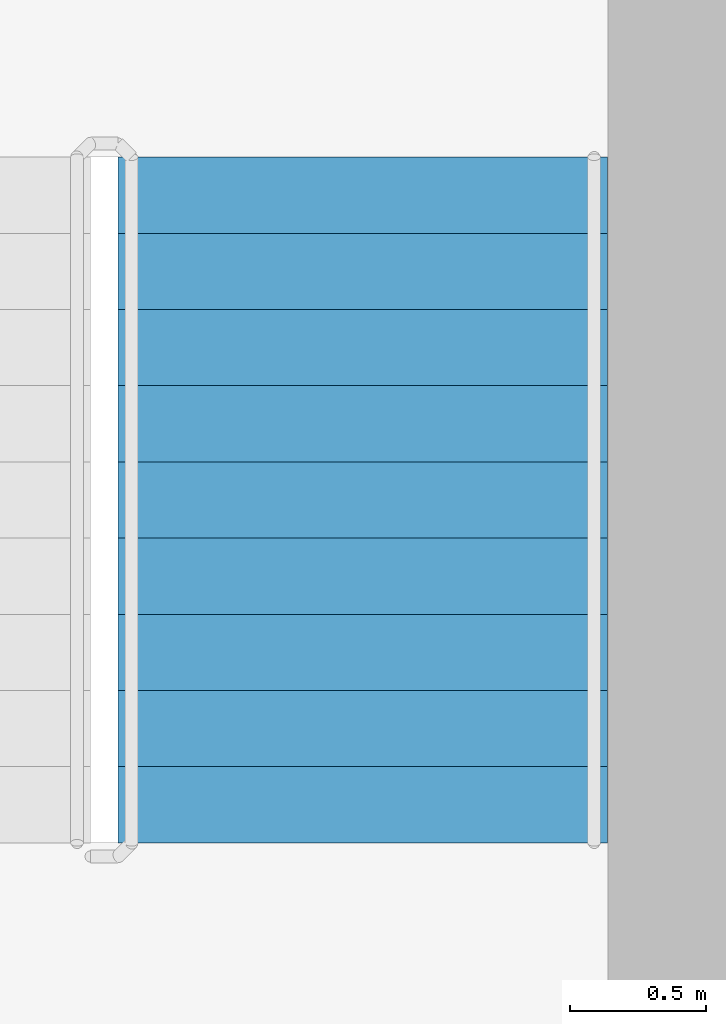
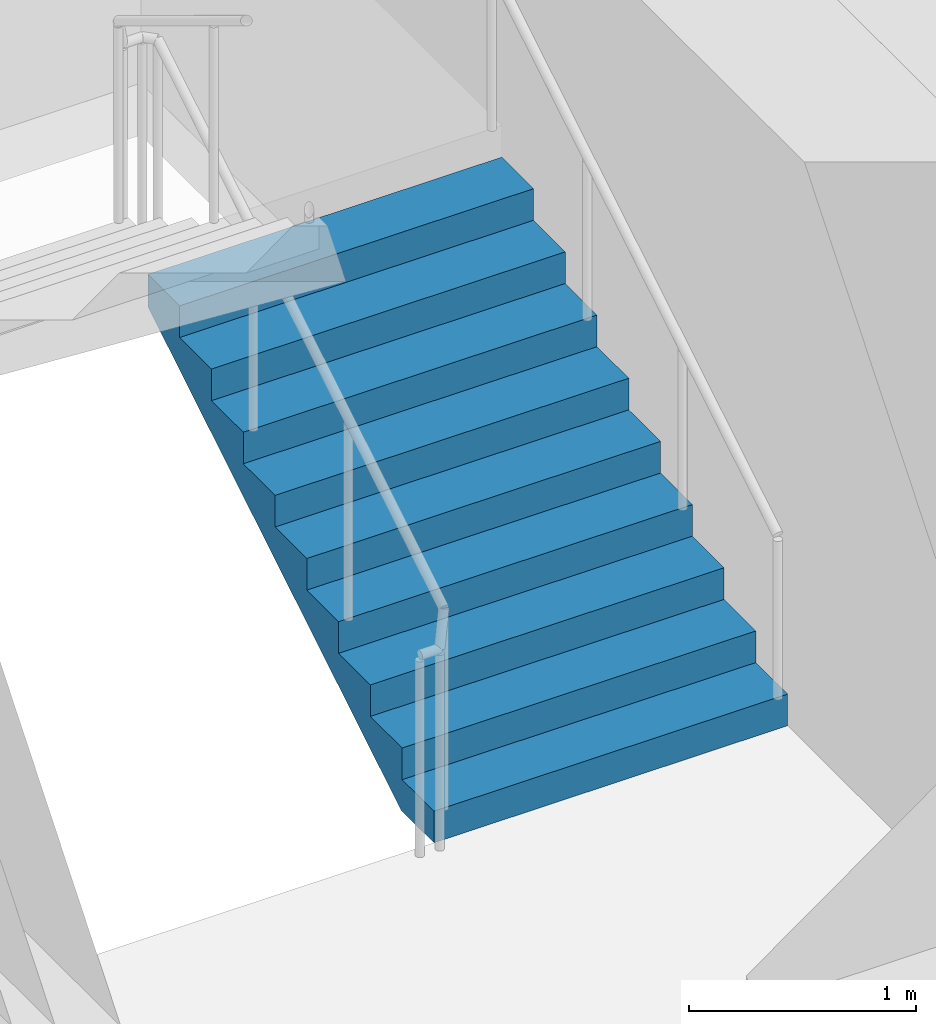
# One storey, part 11 of 19: 1 stair flight, 1 element without a shape of its own.
"""IFC4 building model written with IfcOpenShell, lengths in metres."""

import ifcopenshell
import ifcopenshell.guid

model = None  # the IFC model being written
_history = None  # IfcOwnerHistory: only IFC2X3 demands one
_inside = {}  # id of a spatial element -> (the spatial element, [elements in it])
_under = {}  # id of a project, library or spatial element -> (it, [spatial elements below it])
_declared = {}  # id of a project -> (the project, [libraries it declares])
_typed = {}  # id of a type object -> (the type object, [elements of that type])
_made_of = {}  # id of a material, layer set ... -> (it, [elements and type objects made of it])


def new_model(schema):
    """Start an empty IFC model of exactly this schema.

    Asked for "IFC4X3", IfcOpenShell would pick the latest addendum, in which some entities
    have other attributes; the version numbers below select the first issue.
    IFC2X3 requires an IfcOwnerHistory on every rooted entity: one is made here for all.
    """
    global model, _history
    if schema == "IFC4X3":
        model = ifcopenshell.file(schema_version=(4, 3, 0, 0))
    else:
        model = ifcopenshell.file(schema=schema)
    _inside.clear()
    _under.clear()
    _declared.clear()
    _typed.clear()
    _made_of.clear()
    _history = None
    if model.schema == "IFC2X3":
        org = make("IfcOrganization", Name="unknown")
        user = make(
            "IfcPersonAndOrganization",
            ThePerson=make("IfcPerson", FamilyName="unknown"),
            TheOrganization=org,
        )
        app = make(
            "IfcApplication",
            ApplicationDeveloper=org,
            Version="unknown",
            ApplicationFullName="unknown",
            ApplicationIdentifier="unknown",
        )
        _history = make(
            "IfcOwnerHistory",
            OwningUser=user,
            OwningApplication=app,
            ChangeAction="ADDED",
            CreationDate=0,
        )
    return model


def make(cls, **values):
    """One entity of the class cls with the attributes given. An attribute that is None is left unset."""
    return model.create_entity(
        cls, **{name: value for name, value in values.items() if value is not None}
    )


def rooted(cls, **values):
    """An entity with a GlobalId (a new one), such as an element, a storey or a relation."""
    return make(cls, GlobalId=ifcopenshell.guid.new(), OwnerHistory=_history, **values)


def si_unit(unit_type, name, prefix=None):
    """IfcSIUnit, for example si_unit("LENGTHUNIT", "METRE", prefix="MILLI")."""
    return make("IfcSIUnit", UnitType=unit_type, Prefix=prefix, Name=name)


def assignment(units):
    """IfcUnitAssignment: the units of a project."""
    return None if units is None else make("IfcUnitAssignment", Units=units)


def point(xyz):
    """IfcCartesianPoint."""
    return None if xyz is None else make("IfcCartesianPoint", Coordinates=xyz)


def direction(xyz):
    """IfcDirection."""
    return None if xyz is None else make("IfcDirection", DirectionRatios=xyz)


def frame(location, z_axis=None, x_axis=None):
    """IfcAxis2Placement3D, a coordinate frame: its origin and axes. An axis left out is left unset."""
    return make(
        "IfcAxis2Placement3D",
        Location=point(location),
        Axis=direction(z_axis),
        RefDirection=direction(x_axis),
    )


def origin():
    """The frame at (0, 0, 0) with its axes left unset."""
    return frame((0.0, 0.0, 0.0))


def place(relative_to, where):
    """IfcLocalPlacement: puts the frame where relative to a parent placement (None: the world)."""
    return make(
        "IfcLocalPlacement", PlacementRelTo=relative_to, RelativePlacement=where
    )


def context(
    kind, dimensions, precision=None, world=None, true_north=None, identifier=None
):
    """IfcGeometricRepresentationContext, for example the 3D "Model" context."""
    return make(
        "IfcGeometricRepresentationContext",
        ContextIdentifier=identifier,
        ContextType=kind,
        CoordinateSpaceDimension=dimensions,
        Precision=precision,
        WorldCoordinateSystem=world,
        TrueNorth=true_north,
    )


def subcontext(parent, identifier, kind, view, scale=None):
    """IfcGeometricRepresentationSubContext, for example "Body" below "Model"."""
    return make(
        "IfcGeometricRepresentationSubContext",
        ContextIdentifier=identifier,
        ContextType=kind,
        ParentContext=parent,
        TargetScale=scale,
        TargetView=view,
    )


def project(units=None, contexts=None):
    """IfcProject with its units and contexts."""
    return rooted(
        "IfcProject",
        Name="project",
        RepresentationContexts=contexts,
        UnitsInContext=assignment(units),
    )


def spatial(cls, under=None, at=None, **own):
    """A site, building, storey or space (cls), placed at a placement, below another one or the project."""
    s = rooted(cls, ObjectPlacement=at, **own)
    if under is not None:
        _under.setdefault(under.id(), (under, []))[1].append(s)
    return s


def point_list(points):
    """IfcCartesianPointList2D or 3D."""
    cls = (
        "IfcCartesianPointList2D" if len(points[0]) == 2 else "IfcCartesianPointList3D"
    )
    return make(cls, CoordList=points)


def triangles(points, corners, closed=None, point_numbers=None):
    """IfcTriangulatedFaceSet: each triangle names its three corners, points numbered from 1."""
    return make(
        "IfcTriangulatedFaceSet",
        Coordinates=point_list(points),
        Closed=closed,
        CoordIndex=corners,
        PnIndex=point_numbers,
    )


def shape(context_of_items, identifier, shape_type, items):
    """IfcShapeRepresentation: the items that make up one representation, for example the "Body"."""
    return make(
        "IfcShapeRepresentation",
        ContextOfItems=context_of_items,
        RepresentationIdentifier=identifier,
        RepresentationType=shape_type,
        Items=items,
    )


def source(mapping_origin, context_of_items, identifier, shape_type, items):
    """IfcRepresentationMap: a shape defined once, which mapped items show again and again."""
    return make(
        "IfcRepresentationMap",
        MappingOrigin=mapping_origin,
        MappedRepresentation=shape(context_of_items, identifier, shape_type, items),
    )


def transform(
    local_origin,
    x_axis=None,
    y_axis=None,
    z_axis=None,
    scale=None,
    scale2=None,
    scale3=None,
    uniform=True,
):
    """IfcCartesianTransformationOperator3D, or its non-uniform kind. x_axis, y_axis, z_axis: its Axis1, 2, 3."""
    if uniform:
        return make(
            "IfcCartesianTransformationOperator3D",
            Axis1=direction(x_axis),
            Axis2=direction(y_axis),
            LocalOrigin=point(local_origin),
            Scale=scale,
            Axis3=direction(z_axis),
        )
    return make(
        "IfcCartesianTransformationOperator3DnonUniform",
        Axis1=direction(x_axis),
        Axis2=direction(y_axis),
        LocalOrigin=point(local_origin),
        Scale=scale,
        Axis3=direction(z_axis),
        Scale2=scale2,
        Scale3=scale3,
    )


def mapped(mapping_source, mapping_target):
    """IfcMappedItem: shows the shape of a source again, moved by a transform."""
    return make(
        "IfcMappedItem", MappingSource=mapping_source, MappingTarget=mapping_target
    )


def material(Name=None, Category=None):
    """IfcMaterial."""
    return make("IfcMaterial", Name=Name, Category=Category)


def made_of(thing, what):
    """Note that an element or type object is made of a material, layer set ...; save() writes the relation."""
    if what is not None:
        _made_of.setdefault(what.id(), (what, []))[1].append(thing)
    return thing


def type_object(cls, material=None, **own):
    """A type object (cls), such as IfcWallType, which elements share."""
    return made_of(rooted(cls, **own), material)


def element(
    cls,
    number,
    at=None,
    inside=None,
    cuts=None,
    type_object=None,
    material=None,
    context=None,
    identifier="Body",
    shape_type=None,
    held_by="IfcProductDefinitionShape",
    body=None,
    shapes=None,
    **own,
):
    """One element of the class cls, such as IfcWall. Its Tag is "e" and its number.

    at: its placement. inside: the storey or other place that contains it. cuts: it is an
    opening in that element (IfcRelVoidsElement). A single representation is given by context,
    identifier, shape_type and body (its items); several are given by shapes. held_by: the class
    of the entity that holds the representations. save() writes the other relations.
    """
    e = rooted(cls, Tag="e%d" % number, ObjectPlacement=at, **own)
    if body is not None:
        shapes = [shape(context, identifier, shape_type, body)]
    if shapes is not None:
        e.Representation = make(held_by, Representations=shapes)
    if inside is not None:
        _inside.setdefault(inside.id(), (inside, []))[1].append(e)
    if cuts is not None:
        rooted(
            "IfcRelVoidsElement", RelatingBuildingElement=cuts, RelatedOpeningElement=e
        )
    if type_object is not None:
        _typed.setdefault(type_object.id(), (type_object, []))[1].append(e)
    return made_of(e, material)


def aggregate(whole, parts):
    """IfcRelAggregates: a whole, such as a stair, and the parts it consists of."""
    return rooted("IfcRelAggregates", RelatingObject=whole, RelatedObjects=parts)


def save(model, path):
    """Write the relations noted so far, then the file.

    IfcRelAggregates (storeys below a building ...), IfcRelContainedInSpatialStructure (elements
    in a storey), IfcRelDefinesByType, IfcRelAssociatesMaterial and IfcRelDeclares: one each for
    every whole, place, type object, material and project.
    """
    for whole, parts in _under.values():
        aggregate(whole, parts)
    for where, things in _inside.values():
        rooted(
            "IfcRelContainedInSpatialStructure",
            RelatedElements=things,
            RelatingStructure=where,
        )
    for kind, things in _typed.values():
        rooted("IfcRelDefinesByType", RelatedObjects=things, RelatingType=kind)
    for what, things in _made_of.values():
        rooted("IfcRelAssociatesMaterial", RelatedObjects=things, RelatingMaterial=what)
    for by, libraries in _declared.values():
        rooted("IfcRelDeclares", RelatingContext=by, RelatedDefinitions=libraries)
    model.write(path)


model = new_model("IFC4")

# Units and contexts
model_context = context("Model", 3, precision=1e-05, world=origin(), true_north=direction((0.0, 1.0)))
body_context = subcontext(model_context, "Body", "Model", "MODEL_VIEW")
ifc_project = project(units=[si_unit("LENGTHUNIT", "METRE"), si_unit("AREAUNIT", "SQUARE_METRE"), si_unit("VOLUMEUNIT", "CUBIC_METRE"), si_unit("PLANEANGLEUNIT", "RADIAN"), si_unit("MASSUNIT", "GRAM", prefix="KILO")], contexts=[model_context])

# Site, building, storey
site_placement = place(None, origin())
site = spatial("IfcSite", under=ifc_project, at=site_placement, CompositionType="ELEMENT")
building_placement = place(site_placement, origin())
building = spatial("IfcBuilding", under=site, at=building_placement, Name="Kilnfold Tower and Market Hall", CompositionType="ELEMENT")
storey_placement = place(building_placement, frame((0.0, 0.0, 242.39990234375)))
storey = spatial("IfcBuildingStorey", under=building, at=storey_placement, Name="L58", CompositionType="ELEMENT", Elevation=242.39990234375)

# Stair, stair flight
ifc_material_1 = material(Name="Concrete C40/50", Category="concrete")
stair_type = type_object("IfcStairType", Name="CORE STAIR 1800", PredefinedType="HALF_TURN_STAIR", material=ifc_material_1)
stair_placement = place(storey_placement, origin())
stair = element("IfcStair", 1, at=stair_placement, inside=storey, type_object=stair_type, Name="L58 ST2", PredefinedType="HALF_TURN_STAIR")
ifc_material_2 = material(Name="Concrete C40/50", Category="concrete")
stair_flight_type = type_object("IfcStairFlightType", Name="CORE STAIR FLIGHT 1800", PredefinedType="STRAIGHT", material=ifc_material_2)
shared_shape = source(origin(), body_context, "Body", "Tessellation", [
    triangles([(0.0, 0.89990234375, 0.0), (0.0, 0.78759765625, 0.0), (0.0, 0.675048828125, 0.0), (0.0, 0.5625, 0.0), (0.0, 0.449951171875, 0.0), (0.0, 0.33740234375, 0.0), (0.0, 0.22509765625, 0.0), (0.0, 0.112548828125, 0.0), (0.0, 0.0, 0.0), (0.0, -0.112548828125, 0.0), (0.0, -0.22509765625, 0.0), (0.0, -0.33740234375, 0.0), (0.0, -0.449951171875, 0.0), (0.0, -0.5625, 0.0), (0.0, -0.675048828125, 0.0), (0.0, -0.78759765625, 0.0), (0.0, -0.89990234375, 0.0), (0.0, 0.89990234375, 0.169921875), (0.0, 0.78759765625, 0.169921875), (0.0, 0.675048828125, 0.169921875), (0.0, 0.5625, 0.169921875), (0.0, 0.449951171875, 0.169921875), (0.0, 0.33740234375, 0.169921875), (0.0, 0.22509765625, 0.169921875), (0.0, 0.112548828125, 0.169921875), (0.0, 0.0, 0.169921875), (0.0, -0.112548828125, 0.169921875), (0.0, -0.22509765625, 0.169921875), (0.0, -0.33740234375, 0.169921875), (0.0, -0.449951171875, 0.169921875), (0.0, -0.5625, 0.169921875), (0.0, -0.675048828125, 0.169921875), (0.0, -0.78759765625, 0.169921875), (0.0, -0.89990234375, 0.169921875), (0.280029296875, 0.89990234375, 0.169921875), (0.280029296875, 0.78759765625, 0.169921875), (0.280029296875, 0.675048828125, 0.169921875), (0.280029296875, 0.5625, 0.169921875), (0.280029296875, 0.449951171875, 0.169921875), (0.280029296875, 0.33740234375, 0.169921875), (0.280029296875, 0.22509765625, 0.169921875), (0.280029296875, 0.112548828125, 0.169921875), (0.280029296875, 0.0, 0.169921875), (0.280029296875, -0.112548828125, 0.169921875), (0.280029296875, -0.22509765625, 0.169921875), (0.280029296875, -0.33740234375, 0.169921875), (0.280029296875, -0.449951171875, 0.169921875), (0.280029296875, -0.5625, 0.169921875), (0.280029296875, -0.675048828125, 0.169921875), (0.280029296875, -0.78759765625, 0.169921875), (0.280029296875, -0.89990234375, 0.169921875), (0.280029296875, 0.89990234375, 0.340087890625), (0.280029296875, 0.78759765625, 0.340087890625), (0.280029296875, 0.675048828125, 0.340087890625), (0.280029296875, 0.5625, 0.340087890625), (0.280029296875, 0.449951171875, 0.340087890625), (0.280029296875, 0.33740234375, 0.340087890625), (0.280029296875, 0.22509765625, 0.340087890625), (0.280029296875, 0.112548828125, 0.340087890625), (0.280029296875, 0.0, 0.340087890625), (0.280029296875, -0.112548828125, 0.340087890625), (0.280029296875, -0.22509765625, 0.340087890625), (0.280029296875, -0.33740234375, 0.340087890625), (0.280029296875, -0.449951171875, 0.340087890625), (0.280029296875, -0.5625, 0.340087890625), (0.280029296875, -0.675048828125, 0.340087890625), (0.280029296875, -0.78759765625, 0.340087890625), (0.280029296875, -0.89990234375, 0.340087890625), (0.56005859375, 0.89990234375, 0.340087890625), (0.56005859375, 0.78759765625, 0.340087890625), (0.56005859375, 0.675048828125, 0.340087890625), (0.56005859375, 0.5625, 0.340087890625), (0.56005859375, 0.449951171875, 0.340087890625), (0.56005859375, 0.33740234375, 0.340087890625), (0.56005859375, 0.22509765625, 0.340087890625), (0.56005859375, 0.112548828125, 0.340087890625), (0.56005859375, 0.0, 0.340087890625), (0.56005859375, -0.112548828125, 0.340087890625), (0.56005859375, -0.22509765625, 0.340087890625), (0.56005859375, -0.33740234375, 0.340087890625), (0.56005859375, -0.449951171875, 0.340087890625), (0.56005859375, -0.5625, 0.340087890625), (0.56005859375, -0.675048828125, 0.340087890625), (0.56005859375, -0.78759765625, 0.340087890625), (0.56005859375, -0.89990234375, 0.340087890625), (0.56005859375, 0.89990234375, 0.510009765625), (0.56005859375, 0.78759765625, 0.510009765625), (0.56005859375, 0.675048828125, 0.510009765625), (0.56005859375, 0.5625, 0.510009765625), (0.56005859375, 0.449951171875, 0.510009765625), (0.56005859375, 0.33740234375, 0.510009765625), (0.56005859375, 0.22509765625, 0.510009765625), (0.56005859375, 0.112548828125, 0.510009765625), (0.56005859375, 0.0, 0.510009765625), (0.56005859375, -0.112548828125, 0.510009765625), (0.56005859375, -0.22509765625, 0.510009765625), (0.56005859375, -0.33740234375, 0.510009765625), (0.56005859375, -0.449951171875, 0.510009765625), (0.56005859375, -0.5625, 0.510009765625), (0.56005859375, -0.675048828125, 0.510009765625), (0.56005859375, -0.78759765625, 0.510009765625), (0.56005859375, -0.89990234375, 0.510009765625), (0.840087890625, 0.89990234375, 0.510009765625), (0.840087890625, 0.78759765625, 0.510009765625), (0.840087890625, 0.675048828125, 0.510009765625), (0.840087890625, 0.5625, 0.510009765625), (0.840087890625, 0.449951171875, 0.510009765625), (0.840087890625, 0.33740234375, 0.510009765625), (0.840087890625, 0.22509765625, 0.510009765625), (0.840087890625, 0.112548828125, 0.510009765625), (0.840087890625, 0.0, 0.510009765625), (0.840087890625, -0.112548828125, 0.510009765625), (0.840087890625, -0.22509765625, 0.510009765625), (0.840087890625, -0.33740234375, 0.510009765625), (0.840087890625, -0.449951171875, 0.510009765625), (0.840087890625, -0.5625, 0.510009765625), (0.840087890625, -0.675048828125, 0.510009765625), (0.840087890625, -0.78759765625, 0.510009765625), (0.840087890625, -0.89990234375, 0.510009765625), (0.840087890625, 0.89990234375, 0.679931640625), (0.840087890625, 0.78759765625, 0.679931640625), (0.840087890625, 0.675048828125, 0.679931640625), (0.840087890625, 0.5625, 0.679931640625), (0.840087890625, 0.449951171875, 0.679931640625), (0.840087890625, 0.33740234375, 0.679931640625), (0.840087890625, 0.22509765625, 0.679931640625), (0.840087890625, 0.112548828125, 0.679931640625), (0.840087890625, 0.0, 0.679931640625), (0.840087890625, -0.112548828125, 0.679931640625), (0.840087890625, -0.22509765625, 0.679931640625), (0.840087890625, -0.33740234375, 0.679931640625), (0.840087890625, -0.449951171875, 0.679931640625), (0.840087890625, -0.5625, 0.679931640625), (0.840087890625, -0.675048828125, 0.679931640625), (0.840087890625, -0.78759765625, 0.679931640625), (0.840087890625, -0.89990234375, 0.679931640625), (1.1201171875, 0.89990234375, 0.679931640625), (1.1201171875, 0.78759765625, 0.679931640625), (1.1201171875, 0.675048828125, 0.679931640625), (1.1201171875, 0.5625, 0.679931640625), (1.1201171875, 0.449951171875, 0.679931640625), (1.1201171875, 0.33740234375, 0.679931640625), (1.1201171875, 0.22509765625, 0.679931640625), (1.1201171875, 0.112548828125, 0.679931640625), (1.1201171875, 0.0, 0.679931640625), (1.1201171875, -0.112548828125, 0.679931640625), (1.1201171875, -0.22509765625, 0.679931640625), (1.1201171875, -0.33740234375, 0.679931640625), (1.1201171875, -0.449951171875, 0.679931640625), (1.1201171875, -0.5625, 0.679931640625), (1.1201171875, -0.675048828125, 0.679931640625), (1.1201171875, -0.78759765625, 0.679931640625), (1.1201171875, -0.89990234375, 0.679931640625), (1.1201171875, 0.89990234375, 0.85009765625), (1.1201171875, 0.78759765625, 0.85009765625), (1.1201171875, 0.675048828125, 0.85009765625), (1.1201171875, 0.5625, 0.85009765625), (1.1201171875, 0.449951171875, 0.85009765625), (1.1201171875, 0.33740234375, 0.85009765625), (1.1201171875, 0.22509765625, 0.85009765625), (1.1201171875, 0.112548828125, 0.85009765625), (1.1201171875, 0.0, 0.85009765625), (1.1201171875, -0.112548828125, 0.85009765625), (1.1201171875, -0.22509765625, 0.85009765625), (1.1201171875, -0.33740234375, 0.85009765625), (1.1201171875, -0.449951171875, 0.85009765625), (1.1201171875, -0.5625, 0.85009765625), (1.1201171875, -0.675048828125, 0.85009765625), (1.1201171875, -0.78759765625, 0.85009765625), (1.1201171875, -0.89990234375, 0.85009765625), (1.39990234375, 0.89990234375, 0.85009765625), (1.39990234375, 0.78759765625, 0.85009765625), (1.39990234375, 0.675048828125, 0.85009765625), (1.39990234375, 0.5625, 0.85009765625), (1.39990234375, 0.449951171875, 0.85009765625), (1.39990234375, 0.33740234375, 0.85009765625), (1.39990234375, 0.22509765625, 0.85009765625), (1.39990234375, 0.112548828125, 0.85009765625), (1.39990234375, 0.0, 0.85009765625), (1.39990234375, -0.112548828125, 0.85009765625), (1.39990234375, -0.22509765625, 0.85009765625), (1.39990234375, -0.33740234375, 0.85009765625), (1.39990234375, -0.449951171875, 0.85009765625), (1.39990234375, -0.5625, 0.85009765625), (1.39990234375, -0.675048828125, 0.85009765625), (1.39990234375, -0.78759765625, 0.85009765625), (1.39990234375, -0.89990234375, 0.85009765625), (1.39990234375, 0.89990234375, 1.02001953125), (1.39990234375, 0.78759765625, 1.02001953125), (1.39990234375, 0.675048828125, 1.02001953125), (1.39990234375, 0.5625, 1.02001953125), (1.39990234375, 0.449951171875, 1.02001953125), (1.39990234375, 0.33740234375, 1.02001953125), (1.39990234375, 0.22509765625, 1.02001953125), (1.39990234375, 0.112548828125, 1.02001953125), (1.39990234375, 0.0, 1.02001953125), (1.39990234375, -0.112548828125, 1.02001953125), (1.39990234375, -0.22509765625, 1.02001953125), (1.39990234375, -0.33740234375, 1.02001953125), (1.39990234375, -0.449951171875, 1.02001953125), (1.39990234375, -0.5625, 1.02001953125), (1.39990234375, -0.675048828125, 1.02001953125), (1.39990234375, -0.78759765625, 1.02001953125), (1.39990234375, -0.89990234375, 1.02001953125), (1.679931640625, 0.89990234375, 1.02001953125), (1.679931640625, 0.78759765625, 1.02001953125), (1.679931640625, 0.675048828125, 1.02001953125), (1.679931640625, 0.5625, 1.02001953125), (1.679931640625, 0.449951171875, 1.02001953125), (1.679931640625, 0.33740234375, 1.02001953125), (1.679931640625, 0.22509765625, 1.02001953125), (1.679931640625, 0.112548828125, 1.02001953125), (1.679931640625, 0.0, 1.02001953125), (1.679931640625, -0.112548828125, 1.02001953125), (1.679931640625, -0.22509765625, 1.02001953125), (1.679931640625, -0.33740234375, 1.02001953125), (1.679931640625, -0.449951171875, 1.02001953125), (1.679931640625, -0.5625, 1.02001953125), (1.679931640625, -0.675048828125, 1.02001953125), (1.679931640625, -0.78759765625, 1.02001953125), (1.679931640625, -0.89990234375, 1.02001953125), (1.679931640625, 0.89990234375, 1.18994140625), (1.679931640625, 0.78759765625, 1.18994140625), (1.679931640625, 0.675048828125, 1.18994140625), (1.679931640625, 0.5625, 1.18994140625), (1.679931640625, 0.449951171875, 1.18994140625), (1.679931640625, 0.33740234375, 1.18994140625), (1.679931640625, 0.22509765625, 1.18994140625), (1.679931640625, 0.112548828125, 1.18994140625), (1.679931640625, 0.0, 1.18994140625), (1.679931640625, -0.112548828125, 1.18994140625), (1.679931640625, -0.22509765625, 1.18994140625), (1.679931640625, -0.33740234375, 1.18994140625), (1.679931640625, -0.449951171875, 1.18994140625), (1.679931640625, -0.5625, 1.18994140625), (1.679931640625, -0.675048828125, 1.18994140625), (1.679931640625, -0.78759765625, 1.18994140625), (1.679931640625, -0.89990234375, 1.18994140625), (1.9599609375, 0.89990234375, 1.18994140625), (1.9599609375, 0.78759765625, 1.18994140625), (1.9599609375, 0.675048828125, 1.18994140625), (1.9599609375, 0.5625, 1.18994140625), (1.9599609375, 0.449951171875, 1.18994140625), (1.9599609375, 0.33740234375, 1.18994140625), (1.9599609375, 0.22509765625, 1.18994140625), (1.9599609375, 0.112548828125, 1.18994140625), (1.9599609375, 0.0, 1.18994140625), (1.9599609375, -0.112548828125, 1.18994140625), (1.9599609375, -0.22509765625, 1.18994140625), (1.9599609375, -0.33740234375, 1.18994140625), (1.9599609375, -0.449951171875, 1.18994140625), (1.9599609375, -0.5625, 1.18994140625), (1.9599609375, -0.675048828125, 1.18994140625), (1.9599609375, -0.78759765625, 1.18994140625), (1.9599609375, -0.89990234375, 1.18994140625), (1.9599609375, 0.89990234375, 1.360107421875), (1.9599609375, 0.78759765625, 1.360107421875), (1.9599609375, 0.675048828125, 1.360107421875), (1.9599609375, 0.5625, 1.360107421875), (1.9599609375, 0.449951171875, 1.360107421875), (1.9599609375, 0.33740234375, 1.360107421875), (1.9599609375, 0.22509765625, 1.360107421875), (1.9599609375, 0.112548828125, 1.360107421875), (1.9599609375, 0.0, 1.360107421875), (1.9599609375, -0.112548828125, 1.360107421875), (1.9599609375, -0.22509765625, 1.360107421875), (1.9599609375, -0.33740234375, 1.360107421875), (1.9599609375, -0.449951171875, 1.360107421875), (1.9599609375, -0.5625, 1.360107421875), (1.9599609375, -0.675048828125, 1.360107421875), (1.9599609375, -0.78759765625, 1.360107421875), (1.9599609375, -0.89990234375, 1.360107421875), (2.239990234375, 0.89990234375, 1.360107421875), (2.239990234375, 0.78759765625, 1.360107421875), (2.239990234375, 0.675048828125, 1.360107421875), (2.239990234375, 0.5625, 1.360107421875), (2.239990234375, 0.449951171875, 1.360107421875), (2.239990234375, 0.33740234375, 1.360107421875), (2.239990234375, 0.22509765625, 1.360107421875), (2.239990234375, 0.112548828125, 1.360107421875), (2.239990234375, 0.0, 1.360107421875), (2.239990234375, -0.112548828125, 1.360107421875), (2.239990234375, -0.22509765625, 1.360107421875), (2.239990234375, -0.33740234375, 1.360107421875), (2.239990234375, -0.449951171875, 1.360107421875), (2.239990234375, -0.5625, 1.360107421875), (2.239990234375, -0.675048828125, 1.360107421875), (2.239990234375, -0.78759765625, 1.360107421875), (2.239990234375, -0.89990234375, 1.360107421875), (2.239990234375, 0.89990234375, 1.530029296875), (2.239990234375, 0.78759765625, 1.530029296875), (2.239990234375, 0.675048828125, 1.530029296875), (2.239990234375, 0.5625, 1.530029296875), (2.239990234375, 0.449951171875, 1.530029296875), (2.239990234375, 0.33740234375, 1.530029296875), (2.239990234375, 0.22509765625, 1.530029296875), (2.239990234375, 0.112548828125, 1.530029296875), (2.239990234375, 0.0, 1.530029296875), (2.239990234375, -0.112548828125, 1.530029296875), (2.239990234375, -0.22509765625, 1.530029296875), (2.239990234375, -0.33740234375, 1.530029296875), (2.239990234375, -0.449951171875, 1.530029296875), (2.239990234375, -0.5625, 1.530029296875), (2.239990234375, -0.675048828125, 1.530029296875), (2.239990234375, -0.78759765625, 1.530029296875), (2.239990234375, -0.89990234375, 1.530029296875), (2.52001953125, 0.89990234375, 1.530029296875), (2.52001953125, 0.78759765625, 1.530029296875), (2.52001953125, 0.675048828125, 1.530029296875), (2.52001953125, 0.5625, 1.530029296875), (2.52001953125, 0.449951171875, 1.530029296875), (2.52001953125, 0.33740234375, 1.530029296875), (2.52001953125, 0.22509765625, 1.530029296875), (2.52001953125, 0.112548828125, 1.530029296875), (2.52001953125, 0.0, 1.530029296875), (2.52001953125, -0.112548828125, 1.530029296875), (2.52001953125, -0.22509765625, 1.530029296875), (2.52001953125, -0.33740234375, 1.530029296875), (2.52001953125, -0.449951171875, 1.530029296875), (2.52001953125, -0.5625, 1.530029296875), (2.52001953125, -0.675048828125, 1.530029296875), (2.52001953125, -0.78759765625, 1.530029296875), (2.52001953125, -0.89990234375, 1.530029296875), (2.52001953125, 0.89990234375, 1.354736328125), (2.52001953125, 0.78759765625, 1.354736328125), (2.52001953125, 0.675048828125, 1.354736328125), (2.52001953125, 0.5625, 1.354736328125), (2.52001953125, 0.449951171875, 1.354736328125), (2.52001953125, 0.33740234375, 1.354736328125), (2.52001953125, 0.22509765625, 1.354736328125), (2.52001953125, 0.112548828125, 1.354736328125), (2.52001953125, 0.0, 1.354736328125), (2.52001953125, -0.112548828125, 1.354736328125), (2.52001953125, -0.22509765625, 1.354736328125), (2.52001953125, -0.33740234375, 1.354736328125), (2.52001953125, -0.449951171875, 1.354736328125), (2.52001953125, -0.5625, 1.354736328125), (2.52001953125, -0.675048828125, 1.354736328125), (2.52001953125, -0.78759765625, 1.354736328125), (2.52001953125, -0.89990234375, 1.354736328125), (0.288818359375, 0.89990234375, 0.0), (0.288818359375, 0.78759765625, 0.0), (0.288818359375, 0.675048828125, 0.0), (0.288818359375, 0.5625, 0.0), (0.288818359375, 0.449951171875, 0.0), (0.288818359375, 0.33740234375, 0.0), (0.288818359375, 0.22509765625, 0.0), (0.288818359375, 0.112548828125, 0.0), (0.288818359375, 0.0, 0.0), (0.288818359375, -0.112548828125, 0.0), (0.288818359375, -0.22509765625, 0.0), (0.288818359375, -0.33740234375, 0.0), (0.288818359375, -0.449951171875, 0.0), (0.288818359375, -0.5625, 0.0), (0.288818359375, -0.675048828125, 0.0), (0.288818359375, -0.78759765625, 0.0), (0.288818359375, -0.89990234375, 0.0)], [[1, 324, 341], [17, 357, 340], [324, 290, 307], [340, 323, 306], [324, 273, 290], [340, 306, 289], [324, 256, 273], [340, 289, 272], [324, 239, 256], [340, 272, 255], [239, 205, 222], [255, 238, 221], [324, 205, 239], [340, 255, 221], [205, 171, 188], [221, 204, 187], [324, 171, 205], [340, 221, 187], [171, 137, 154], [187, 170, 153], [324, 137, 171], [340, 187, 153], [137, 103, 120], [153, 136, 119], [324, 103, 137], [340, 153, 119], [103, 69, 86], [119, 102, 85], [324, 69, 103], [340, 119, 85], [69, 35, 52], [85, 68, 51], [324, 35, 69], [340, 85, 51], [1, 35, 324], [17, 340, 51], [35, 1, 18], [51, 34, 17], [1, 19, 18], [1, 2, 19], [2, 20, 19], [2, 3, 20], [3, 21, 20], [3, 4, 21], [4, 22, 21], [4, 5, 22], [5, 23, 22], [5, 6, 23], [6, 24, 23], [6, 7, 24], [7, 25, 24], [7, 8, 25], [8, 26, 25], [8, 9, 26], [9, 27, 26], [9, 10, 27], [10, 28, 27], [10, 11, 28], [11, 29, 28], [11, 12, 29], [12, 30, 29], [12, 13, 30], [13, 31, 30], [13, 14, 31], [14, 32, 31], [14, 15, 32], [15, 33, 32], [15, 16, 33], [16, 34, 33], [16, 17, 34], [18, 36, 35], [18, 19, 36], [19, 37, 36], [19, 20, 37], [20, 38, 37], [20, 21, 38], [21, 39, 38], [21, 22, 39], [22, 40, 39], [22, 23, 40], [23, 41, 40], [23, 24, 41], [24, 42, 41], [24, 25, 42], [25, 43, 42], [25, 26, 43], [26, 44, 43], [26, 27, 44], [27, 45, 44], [27, 28, 45], [28, 46, 45], [28, 29, 46], [29, 47, 46], [29, 30, 47], [30, 48, 47], [30, 31, 48], [31, 49, 48], [31, 32, 49], [32, 50, 49], [32, 33, 50], [33, 51, 50], [33, 34, 51], [35, 53, 52], [35, 36, 53], [36, 54, 53], [36, 37, 54], [37, 55, 54], [37, 38, 55], [38, 56, 55], [38, 39, 56], [39, 57, 56], [39, 40, 57], [40, 58, 57], [40, 41, 58], [41, 59, 58], [41, 42, 59], [42, 60, 59], [42, 43, 60], [43, 61, 60], [43, 44, 61], [44, 62, 61], [44, 45, 62], [45, 63, 62], [45, 46, 63], [46, 64, 63], [46, 47, 64], [47, 65, 64], [47, 48, 65], [48, 66, 65], [48, 49, 66], [49, 67, 66], [49, 50, 67], [50, 68, 67], [50, 51, 68], [52, 70, 69], [52, 53, 70], [53, 71, 70], [53, 54, 71], [54, 72, 71], [54, 55, 72], [55, 73, 72], [55, 56, 73], [56, 74, 73], [56, 57, 74], [57, 75, 74], [57, 58, 75], [58, 76, 75], [58, 59, 76], [59, 77, 76], [59, 60, 77], [60, 78, 77], [60, 61, 78], [61, 79, 78], [61, 62, 79], [62, 80, 79], [62, 63, 80], [63, 81, 80], [63, 64, 81], [64, 82, 81], [64, 65, 82], [65, 83, 82], [65, 66, 83], [66, 84, 83], [66, 67, 84], [67, 85, 84], [67, 68, 85], [69, 87, 86], [69, 70, 87], [70, 88, 87], [70, 71, 88], [71, 89, 88], [71, 72, 89], [72, 90, 89], [72, 73, 90], [73, 91, 90], [73, 74, 91], [74, 92, 91], [74, 75, 92], [75, 93, 92], [75, 76, 93], [76, 94, 93], [76, 77, 94], [77, 95, 94], [77, 78, 95], [78, 96, 95], [78, 79, 96], [79, 97, 96], [79, 80, 97], [80, 98, 97], [80, 81, 98], [81, 99, 98], [81, 82, 99], [82, 100, 99], [82, 83, 100], [83, 101, 100], [83, 84, 101], [84, 102, 101], [84, 85, 102], [86, 104, 103], [86, 87, 104], [87, 105, 104], [87, 88, 105], [88, 106, 105], [88, 89, 106], [89, 107, 106], [89, 90, 107], [90, 108, 107], [90, 91, 108], [91, 109, 108], [91, 92, 109], [92, 110, 109], [92, 93, 110], [93, 111, 110], [93, 94, 111], [94, 112, 111], [94, 95, 112], [95, 113, 112], [95, 96, 113], [96, 114, 113], [96, 97, 114], [97, 115, 114], [97, 98, 115], [98, 116, 115], [98, 99, 116], [99, 117, 116], [99, 100, 117], [100, 118, 117], [100, 101, 118], [101, 119, 118], [101, 102, 119], [103, 121, 120], [103, 104, 121], [104, 122, 121], [104, 105, 122], [105, 123, 122], [105, 106, 123], [106, 124, 123], [106, 107, 124], [107, 125, 124], [107, 108, 125], [108, 126, 125], [108, 109, 126], [109, 127, 126], [109, 110, 127], [110, 128, 127], [110, 111, 128], [111, 129, 128], [111, 112, 129], [112, 130, 129], [112, 113, 130], [113, 131, 130], [113, 114, 131], [114, 132, 131], [114, 115, 132], [115, 133, 132], [115, 116, 133], [116, 134, 133], [116, 117, 134], [117, 135, 134], [117, 118, 135], [118, 136, 135], [118, 119, 136], [120, 138, 137], [120, 121, 138], [121, 139, 138], [121, 122, 139], [122, 140, 139], [122, 123, 140], [123, 141, 140], [123, 124, 141], [124, 142, 141], [124, 125, 142], [125, 143, 142], [125, 126, 143], [126, 144, 143], [126, 127, 144], [127, 145, 144], [127, 128, 145], [128, 146, 145], [128, 129, 146], [129, 147, 146], [129, 130, 147], [130, 148, 147], [130, 131, 148], [131, 149, 148], [131, 132, 149], [132, 150, 149], [132, 133, 150], [133, 151, 150], [133, 134, 151], [134, 152, 151], [134, 135, 152], [135, 153, 152], [135, 136, 153], [137, 155, 154], [137, 138, 155], [138, 156, 155], [138, 139, 156], [139, 157, 156], [139, 140, 157], [140, 158, 157], [140, 141, 158], [141, 159, 158], [141, 142, 159], [142, 160, 159], [142, 143, 160], [143, 161, 160], [143, 144, 161], [144, 162, 161], [144, 145, 162], [145, 163, 162], [145, 146, 163], [146, 164, 163], [146, 147, 164], [147, 165, 164], [147, 148, 165], [148, 166, 165], [148, 149, 166], [149, 167, 166], [149, 150, 167], [150, 168, 167], [150, 151, 168], [151, 169, 168], [151, 152, 169], [152, 170, 169], [152, 153, 170], [154, 172, 171], [154, 155, 172], [155, 173, 172], [155, 156, 173], [156, 174, 173], [156, 157, 174], [157, 175, 174], [157, 158, 175], [158, 176, 175], [158, 159, 176], [159, 177, 176], [159, 160, 177], [160, 178, 177], [160, 161, 178], [161, 179, 178], [161, 162, 179], [162, 180, 179], [162, 163, 180], [163, 181, 180], [163, 164, 181], [164, 182, 181], [164, 165, 182], [165, 183, 182], [165, 166, 183], [166, 184, 183], [166, 167, 184], [167, 185, 184], [167, 168, 185], [168, 186, 185], [168, 169, 186], [169, 187, 186], [169, 170, 187], [171, 189, 188], [171, 172, 189], [172, 190, 189], [172, 173, 190], [173, 191, 190], [173, 174, 191], [174, 192, 191], [174, 175, 192], [175, 193, 192], [175, 176, 193], [176, 194, 193], [176, 177, 194], [177, 195, 194], [177, 178, 195], [178, 196, 195], [178, 179, 196], [179, 197, 196], [179, 180, 197], [180, 198, 197], [180, 181, 198], [181, 199, 198], [181, 182, 199], [182, 200, 199], [182, 183, 200], [183, 201, 200], [183, 184, 201], [184, 202, 201], [184, 185, 202], [185, 203, 202], [185, 186, 203], [186, 204, 203], [186, 187, 204], [188, 206, 205], [188, 189, 206], [189, 207, 206], [189, 190, 207], [190, 208, 207], [190, 191, 208], [191, 209, 208], [191, 192, 209], [192, 210, 209], [192, 193, 210], [193, 211, 210], [193, 194, 211], [194, 212, 211], [194, 195, 212], [195, 213, 212], [195, 196, 213], [196, 214, 213], [196, 197, 214], [197, 215, 214], [197, 198, 215], [198, 216, 215], [198, 199, 216], [199, 217, 216], [199, 200, 217], [200, 218, 217], [200, 201, 218], [201, 219, 218], [201, 202, 219], [202, 220, 219], [202, 203, 220], [203, 221, 220], [203, 204, 221], [205, 223, 222], [205, 206, 223], [206, 224, 223], [206, 207, 224], [207, 225, 224], [207, 208, 225], [208, 226, 225], [208, 209, 226], [209, 227, 226], [209, 210, 227], [210, 228, 227], [210, 211, 228], [211, 229, 228], [211, 212, 229], [212, 230, 229], [212, 213, 230], [213, 231, 230], [213, 214, 231], [214, 232, 231], [214, 215, 232], [215, 233, 232], [215, 216, 233], [216, 234, 233], [216, 217, 234], [217, 235, 234], [217, 218, 235], [218, 236, 235], [218, 219, 236], [219, 237, 236], [219, 220, 237], [220, 238, 237], [220, 221, 238], [222, 240, 239], [222, 223, 240], [223, 241, 240], [223, 224, 241], [224, 242, 241], [224, 225, 242], [225, 243, 242], [225, 226, 243], [226, 244, 243], [226, 227, 244], [227, 245, 244], [227, 228, 245], [228, 246, 245], [228, 229, 246], [229, 247, 246], [229, 230, 247], [230, 248, 247], [230, 231, 248], [231, 249, 248], [231, 232, 249], [232, 250, 249], [232, 233, 250], [233, 251, 250], [233, 234, 251], [234, 252, 251], [234, 235, 252], [235, 253, 252], [235, 236, 253], [236, 254, 253], [236, 237, 254], [237, 255, 254], [237, 238, 255], [239, 257, 256], [239, 240, 257], [240, 258, 257], [240, 241, 258], [241, 259, 258], [241, 242, 259], [242, 260, 259], [242, 243, 260], [243, 261, 260], [243, 244, 261], [244, 262, 261], [244, 245, 262], [245, 263, 262], [245, 246, 263], [246, 264, 263], [246, 247, 264], [247, 265, 264], [247, 248, 265], [248, 266, 265], [248, 249, 266], [249, 267, 266], [249, 250, 267], [250, 268, 267], [250, 251, 268], [251, 269, 268], [251, 252, 269], [252, 270, 269], [252, 253, 270], [253, 271, 270], [253, 254, 271], [254, 272, 271], [254, 255, 272], [256, 274, 273], [256, 257, 274], [257, 275, 274], [257, 258, 275], [258, 276, 275], [258, 259, 276], [259, 277, 276], [259, 260, 277], [260, 278, 277], [260, 261, 278], [261, 279, 278], [261, 262, 279], [262, 280, 279], [262, 263, 280], [263, 281, 280], [263, 264, 281], [264, 282, 281], [264, 265, 282], [265, 283, 282], [265, 266, 283], [266, 284, 283], [266, 267, 284], [267, 285, 284], [267, 268, 285], [268, 286, 285], [268, 269, 286], [269, 287, 286], [269, 270, 287], [270, 288, 287], [270, 271, 288], [271, 289, 288], [271, 272, 289], [273, 291, 290], [273, 274, 291], [274, 292, 291], [274, 275, 292], [275, 293, 292], [275, 276, 293], [276, 294, 293], [276, 277, 294], [277, 295, 294], [277, 278, 295], [278, 296, 295], [278, 279, 296], [279, 297, 296], [279, 280, 297], [280, 298, 297], [280, 281, 298], [281, 299, 298], [281, 282, 299], [282, 300, 299], [282, 283, 300], [283, 301, 300], [283, 284, 301], [284, 302, 301], [284, 285, 302], [285, 303, 302], [285, 286, 303], [286, 304, 303], [286, 287, 304], [287, 305, 304], [287, 288, 305], [288, 306, 305], [288, 289, 306], [290, 308, 307], [290, 291, 308], [291, 309, 308], [291, 292, 309], [292, 310, 309], [292, 293, 310], [293, 311, 310], [293, 294, 311], [294, 312, 311], [294, 295, 312], [295, 313, 312], [295, 296, 313], [296, 314, 313], [296, 297, 314], [297, 315, 314], [297, 298, 315], [298, 316, 315], [298, 299, 316], [299, 317, 316], [299, 300, 317], [300, 318, 317], [300, 301, 318], [301, 319, 318], [301, 302, 319], [302, 320, 319], [302, 303, 320], [303, 321, 320], [303, 304, 321], [304, 322, 321], [304, 305, 322], [305, 323, 322], [305, 306, 323], [307, 325, 324], [307, 308, 325], [308, 326, 325], [308, 309, 326], [309, 327, 326], [309, 310, 327], [310, 328, 327], [310, 311, 328], [311, 329, 328], [311, 312, 329], [312, 330, 329], [312, 313, 330], [313, 331, 330], [313, 314, 331], [314, 332, 331], [314, 315, 332], [315, 333, 332], [315, 316, 333], [316, 334, 333], [316, 317, 334], [317, 335, 334], [317, 318, 335], [318, 336, 335], [318, 319, 336], [319, 337, 336], [319, 320, 337], [320, 338, 337], [320, 321, 338], [321, 339, 338], [321, 322, 339], [322, 340, 339], [322, 323, 340], [324, 342, 341], [324, 325, 342], [325, 343, 342], [325, 326, 343], [326, 344, 343], [326, 327, 344], [327, 345, 344], [327, 328, 345], [328, 346, 345], [328, 329, 346], [329, 347, 346], [329, 330, 347], [330, 348, 347], [330, 331, 348], [331, 349, 348], [331, 332, 349], [332, 350, 349], [332, 333, 350], [333, 351, 350], [333, 334, 351], [334, 352, 351], [334, 335, 352], [335, 353, 352], [335, 336, 353], [336, 354, 353], [336, 337, 354], [337, 355, 354], [337, 338, 355], [338, 356, 355], [338, 339, 356], [339, 357, 356], [339, 340, 357], [341, 2, 1], [341, 342, 2], [342, 3, 2], [342, 343, 3], [343, 4, 3], [343, 344, 4], [344, 5, 4], [344, 345, 5], [345, 6, 5], [345, 346, 6], [346, 7, 6], [346, 347, 7], [347, 8, 7], [347, 348, 8], [348, 9, 8], [348, 349, 9], [349, 10, 9], [349, 350, 10], [350, 11, 10], [350, 351, 11], [351, 12, 11], [351, 352, 12], [352, 13, 12], [352, 353, 13], [353, 14, 13], [353, 354, 14], [354, 15, 14], [354, 355, 15], [355, 16, 15], [355, 356, 16], [356, 17, 16], [356, 357, 17]], closed=True),
])
stair_flight_placement = place(storey_placement, frame((16.199951171875, 10.800048828125, 0.0), z_axis=(0.0, 0.0, 1.0), x_axis=(0.0, 1.0, 0.0)))
stair_flight = element("IfcStairFlight", 2, at=stair_flight_placement, type_object=stair_flight_type, Name="ST2 flight 1", NumberOfRisers=10, NumberOfTreads=9, PredefinedType="STRAIGHT", RiserHeight=0.17, TreadLength=0.28, context=body_context, shape_type="MappedRepresentation", body=[
    mapped(shared_shape, transform((0.0, 0.0, 0.0))),
])
aggregate(stair, [stair_flight])

save(model, "model.ifc")
